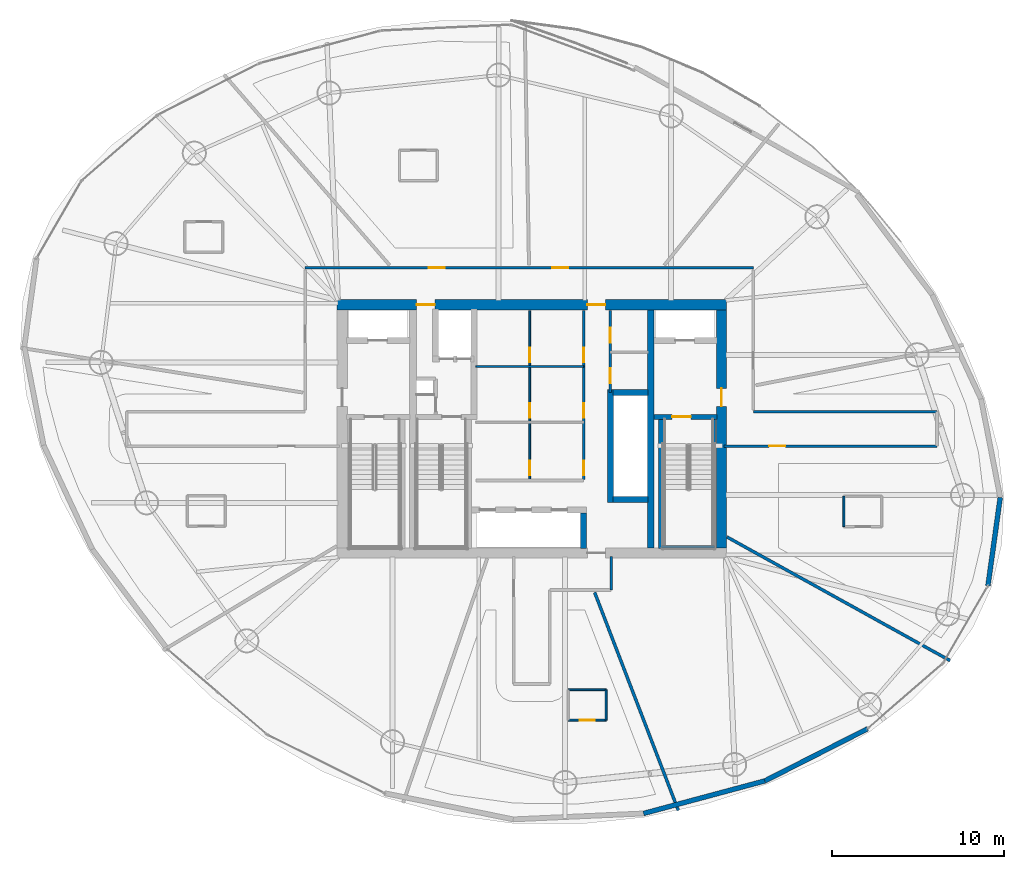
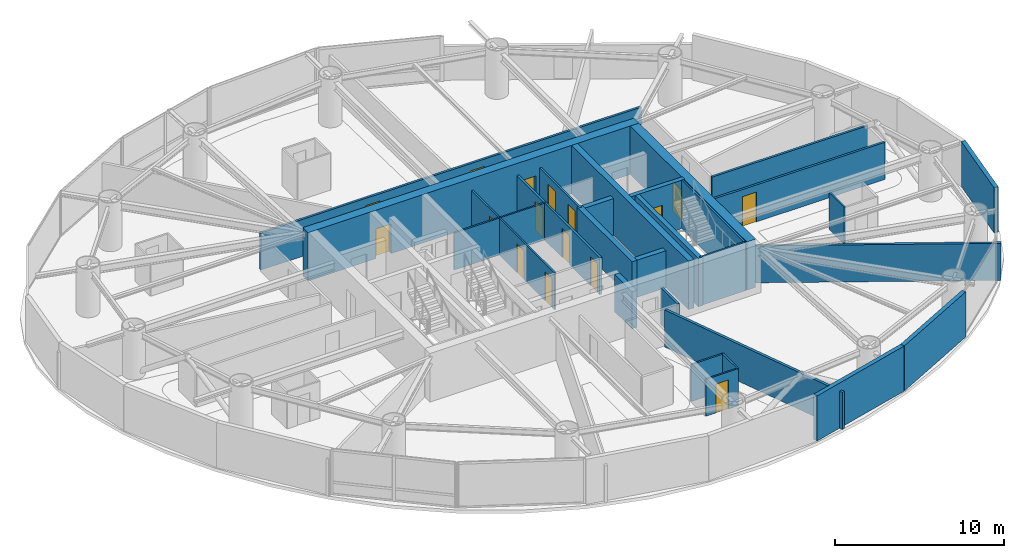
# One storey, part 15 of 19: 28 walls, 16 doors, 16 openings.
"""IFC4 building model written with IfcOpenShell, lengths in metres."""

from ifc_helpers import new_model, si_unit, direction, frame, frame_2d, origin, place, context, subcontext, project, spatial, rectangle, extrude, material, layer, layer_set, type_object, element, fill, save


model = new_model("IFC4")

# Units and contexts
model_context = context("Model", 3, precision=1e-05, world=origin(), true_north=direction((0.0, 1.0)))
body_context = subcontext(model_context, "Body", "Model", "MODEL_VIEW")
ifc_project = project(units=[si_unit("LENGTHUNIT", "METRE"), si_unit("AREAUNIT", "SQUARE_METRE"), si_unit("VOLUMEUNIT", "CUBIC_METRE"), si_unit("PLANEANGLEUNIT", "RADIAN"), si_unit("MASSUNIT", "GRAM", prefix="KILO")], contexts=[model_context])

# Site, building, storey
site_placement = place(None, origin())
site = spatial("IfcSite", under=ifc_project, at=site_placement, CompositionType="ELEMENT")
building_placement = place(site_placement, origin())
building = spatial("IfcBuilding", under=site, at=building_placement, Name="Bramvorn Convention Spire", CompositionType="ELEMENT")
storey_placement = place(building_placement, frame((0.0, 0.0, 109.800048828125)))
storey = spatial("IfcBuildingStorey", under=building, at=storey_placement, Name="L26", CompositionType="ELEMENT", Elevation=109.800048828125)

# Wall, openings, doors
ifc_material_1 = material(Name="Concrete C60/70", Category="concrete")
ifc_layer_1 = layer(ifc_material_1, 0.60009765625)
ifc_layer_set_1 = layer_set([ifc_layer_1], Name="Concrete C60/70 - WL-CORE-600")
wall_type_1 = type_object("IfcWallType", Name="WL-CORE-600", PredefinedType="SHEAR", material=ifc_layer_set_1)
wall_1_placement = place(storey_placement, frame((26.699951171875, 33.199951171875, 0.0), z_axis=(0.0, 0.0, 1.0), x_axis=(1.0, 0.0, 0.0)))
wall_1 = element("IfcWall", 1, at=wall_1_placement, inside=storey, type_object=wall_type_1, Name="L26 North RC core shear wall", PredefinedType="SHEAR", context=body_context, shape_type="SweptSolid", body=[
    extrude(rectangle(XDim=22.60009765625, YDim=0.60009765625, at=frame_2d((11.300048828125, 0.0))), origin(), (0.0, 0.0, 1.0), 3.5),
])
opening_1_placement = place(wall_1_placement, frame((4.6201171875, 0.0, 0.0)))
opening_1 = element("IfcOpeningElement", 2, at=opening_1_placement, cuts=wall_1, Name="Opening DL-105", PredefinedType="OPENING", context=body_context, shape_type="SweptSolid", body=[
    extrude(rectangle(XDim=1.050048828125, YDim=2.14990234375, at=frame_2d((0.52490234375, 1.074951171875))), frame((0.0, 0.31005859375, 0.0), z_axis=(0.0, -1.0, 0.0), x_axis=(1.0, 0.0, 0.0)), (0.0, 0.0, 1.0), 0.6201171875),
])
opening_2_placement = place(wall_1_placement, frame((14.52001953125, 0.0, 0.0)))
opening_2 = element("IfcOpeningElement", 3, at=opening_2_placement, cuts=wall_1, Name="Opening DL-105", PredefinedType="OPENING", context=body_context, shape_type="SweptSolid", body=[
    extrude(rectangle(XDim=1.050048828125, YDim=2.14990234375, at=frame_2d((0.52490234375, 1.074951171875))), frame((0.0, 0.31005859375, 0.0), z_axis=(0.0, -1.0, 0.0), x_axis=(1.0, 0.0, 0.0)), (0.0, 0.0, 1.0), 0.6201171875),
])
ifc_material_2 = material(Name="Smoke-Sealed Fire Lobby Timber-Core Door", Category="wood")
door_type_1 = type_object("IfcDoorType", Name="DR-LOBBY-1050", OperationType="NOTDEFINED", PredefinedType="DOOR", material=ifc_material_2)
door_1_placement = place(opening_1_placement, origin())
door_1 = element("IfcDoor", 4, at=door_1_placement, inside=storey, type_object=door_type_1, Name="L26 Service & Stair ST3 Lobby north corridor door", OperationType="SINGLE_SWING_LEFT", OverallHeight=2.14990234375, OverallWidth=1.050048828125, PredefinedType="DOOR", context=body_context, shape_type="SweptSolid", body=[
    extrude(rectangle(XDim=1.050048828125, YDim=2.14990234375, at=frame_2d((0.52490234375, 1.074951171875))), frame((0.0, 0.02490234375, 0.0), z_axis=(0.0, -1.0, 0.0), x_axis=(1.0, 0.0, 0.0)), (0.0, 0.0, 1.0), 0.050048828125),
])
fill(opening_1, door_1)
door_2_placement = place(opening_2_placement, origin())
door_2 = element("IfcDoor", 5, at=door_2_placement, inside=storey, type_object=door_type_1, Name="L26 North Lift Lobby fire door", OperationType="SINGLE_SWING_LEFT", OverallHeight=2.14990234375, OverallWidth=1.050048828125, PredefinedType="DOOR", context=body_context, shape_type="SweptSolid", body=[
    extrude(rectangle(XDim=1.050048828125, YDim=2.14990234375, at=frame_2d((0.52490234375, 1.074951171875))), frame((0.0, 0.02490234375, 0.0), z_axis=(0.0, -1.0, 0.0), x_axis=(1.0, 0.0, 0.0)), (0.0, 0.0, 1.0), 0.050048828125),
])
fill(opening_2, door_2)

# Wall, opening, door
wall_2_placement = place(storey_placement, frame((49.0, 19.10009765625, 0.0), z_axis=(0.0, 0.0, 1.0), x_axis=(0.0, 1.0, 0.0)))
wall_2 = element("IfcWall", 6, at=wall_2_placement, inside=storey, type_object=wall_type_1, Name="L26 East RC core shear wall", PredefinedType="SHEAR", context=body_context, shape_type="SweptSolid", body=[
    extrude(rectangle(XDim=13.7998046875, YDim=0.60009765625, at=frame_2d((6.89990234375, 0.0))), origin(), (0.0, 0.0, 1.0), 3.5),
])
opening_3_placement = place(wall_2_placement, frame((8.199951171875, 0.0, 0.0)))
opening_3 = element("IfcOpeningElement", 7, at=opening_3_placement, cuts=wall_2, Name="Opening DL-105", PredefinedType="OPENING", context=body_context, shape_type="SweptSolid", body=[
    extrude(rectangle(XDim=1.050048828125, YDim=2.14990234375, at=frame_2d((0.52490234375, 1.074951171875))), frame((0.0, 0.31005859375, 0.0), z_axis=(0.0, -1.0, 0.0), x_axis=(1.0, 0.0, 0.0)), (0.0, 0.0, 1.0), 0.6201171875),
])
door_3_placement = place(opening_3_placement, origin())
door_3 = element("IfcDoor", 8, at=door_3_placement, inside=storey, type_object=door_type_1, Name="L26 East Firefighting Lobby corridor door", OperationType="SINGLE_SWING_LEFT", OverallHeight=2.14990234375, OverallWidth=1.050048828125, PredefinedType="DOOR", context=body_context, shape_type="SweptSolid", body=[
    extrude(rectangle(XDim=1.050048828125, YDim=2.14990234375, at=frame_2d((0.52490234375, 1.074951171875))), frame((0.0, 0.02490234375, 0.0), z_axis=(0.0, -1.0, 0.0), x_axis=(1.0, 0.0, 0.0)), (0.0, 0.0, 1.0), 0.050048828125),
])
fill(opening_3, door_3)

# Walls
ifc_material_3 = material(Name="Concrete C50/60", Category="concrete")
ifc_layer_2 = layer(ifc_material_3, 0.35009765625)
ifc_layer_set_2 = layer_set([ifc_layer_2], Name="Concrete C50/60 - WL-CORE-INT-350")
wall_type_2 = type_object("IfcWallType", Name="WL-CORE-INT-350", PredefinedType="SHEAR", material=ifc_layer_set_2)
wall_3_placement = place(storey_placement, frame((42.550048828125, 21.72998046875, 0.0), z_axis=(0.0, 0.0, 1.0), x_axis=(0.0, 1.0, 0.0)))
element("IfcWall", 9, at=wall_3_placement, inside=storey, type_object=wall_type_2, Name="L26 High-rise lift bank west wall", PredefinedType="SHEAR", context=body_context, shape_type="SweptSolid", body=[
    extrude(rectangle(XDim=6.5400390625, YDim=0.35009765625, at=frame_2d((3.27001953125, 0.0))), origin(), (0.0, 0.0, 1.0), 2.675048828125),
])
for number, where, z_axis, x_axis, name in (
    (10, (42.719970703125, 21.89990234375, 0.0), (0.0, 0.0, 1.0), (1.0, 0.0, 0.0), "L26 High-rise lift bank south wall"),
    (11, (42.719970703125, 28.10009765625, 0.0), (0.0, 0.0, 1.0), (1.0, 0.0, 0.0), "L26 High-rise lift bank north wall"),
):
    element("IfcWall", number, at=place(storey_placement, frame(where, z_axis=z_axis, x_axis=x_axis)), inside=storey, type_object=wall_type_2, Name=name, PredefinedType="SHEAR", context=body_context, shape_type="SweptSolid", body=[
        extrude(rectangle(XDim=2.030029296875, YDim=0.35009765625, at=frame_2d((1.01513671875, 0.0))), origin(), (0.0, 0.0, 1.0), 2.675048828125),
    ])
wall_4_placement = place(storey_placement, frame((41.0, 19.050048828125, 0.0), z_axis=(0.0, 0.0, 1.0), x_axis=(0.0, 1.0, 0.0)))
element("IfcWall", 12, at=wall_4_placement, inside=storey, type_object=wall_type_2, Name="L26 Mid-rise bank east cheek wall", PredefinedType="SHEAR", context=body_context, shape_type="SweptSolid", body=[
    extrude(rectangle(XDim=2.079833984375, YDim=0.35009765625, at=frame_2d((1.0400390625, 0.0))), origin(), (0.0, 0.0, 1.0), 2.675048828125),
])
ifc_layer_3 = layer(ifc_material_1, 0.39990234375)
ifc_layer_set_3 = layer_set([ifc_layer_3], Name="Concrete C60/70 - WL-CORE-INT-400")
wall_type_3 = type_object("IfcWallType", Name="WL-CORE-INT-400", PredefinedType="SHEAR", material=ifc_layer_set_3)
wall_5_placement = place(storey_placement, frame((44.89990234375, 19.10009765625, 0.0), z_axis=(0.0, 0.0, 1.0), x_axis=(0.0, 1.0, 0.0)))
element("IfcWall", 13, at=wall_5_placement, inside=storey, type_object=wall_type_3, Name="L26 East internal core shear web", PredefinedType="SHEAR", context=body_context, shape_type="SweptSolid", body=[
    extrude(rectangle(XDim=13.7998046875, YDim=0.39990234375, at=frame_2d((6.89990234375, 0.0))), origin(), (0.0, 0.0, 1.0), 3.5),
])
ifc_material_4 = material(Name="Precast Concrete C40/50 with Bronze Terracotta Rainscreen", Category="masonry")
ifc_layer_4 = layer(ifc_material_4, 0.300048828125)
ifc_layer_set_4 = layer_set([ifc_layer_4], Name="Precast Concrete C40/50 with Bronze Terracotta Rainscreen - WL-EXT-BRONZE-300")
wall_type_4 = type_object("IfcWallType", Name="WL-EXT-BRONZE-300", PredefinedType="SOLIDWALL", material=ifc_layer_set_4)
wall_6_placement = place(storey_placement, frame((65.168701171875, 22.015625, 0.0), z_axis=(0.0, 0.0, 1.0), x_axis=(-0.137820388365, -0.990457238123, 0.0)))
element("IfcWall", 14, at=wall_6_placement, inside=storey, type_object=wall_type_4, Name="L26 expressed bronze Gothic lancet pier wall 01", PredefinedType="SOLIDWALL", context=body_context, shape_type="SweptSolid", body=[
    extrude(rectangle(XDim=5.17431640625, YDim=0.280029296875, at=frame_2d((2.587158203125, 0.0))), origin(), (0.0, 0.0, 1.0), 3.260009765625),
])
wall_7_placement = place(storey_placement, frame((51.521728515625, 5.579345703125, 0.0), z_axis=(0.0, 0.0, 1.0), x_axis=(-0.965810741731, -0.259248165195, 0.0)))
element("IfcWall", 15, at=wall_7_placement, inside=storey, type_object=wall_type_4, Name="L26 expressed bronze Gothic lancet pier wall 21", PredefinedType="SOLIDWALL", context=body_context, shape_type="SweptSolid", body=[
    extrude(rectangle(XDim=7.291748046875, YDim=0.280029296875, at=frame_2d((3.64599609375, 0.0))), origin(), (0.0, 0.0, 1.0), 3.260009765625),
])
wall_8_placement = place(storey_placement, frame((57.465087890625, 8.59619140625, 0.0), z_axis=(0.0, 0.0, 1.0), x_axis=(-0.891700204545, -0.452626496367, 0.0)))
element("IfcWall", 16, at=wall_8_placement, inside=storey, type_object=wall_type_4, Name="L26 expressed bronze Gothic lancet pier wall 22", PredefinedType="SOLIDWALL", context=body_context, shape_type="SweptSolid", body=[
    extrude(rectangle(XDim=6.665283203125, YDim=0.280029296875, at=frame_2d((3.33251953125, 0.0))), origin(), (0.0, 0.0, 1.0), 3.260009765625),
])

# Wall, openings, doors
ifc_material_5 = material(Name="Lightweight En-Suite & Wet-Wall Partition", Category="gypsum")
ifc_layer_5 = layer(ifc_material_5, 0.110107421875)
ifc_layer_set_5 = layer_set([ifc_layer_5], Name="Lightweight En-Suite & Wet-Wall Partition - WL-PART-110")
wall_type_5 = type_object("IfcWallType", Name="WL-PART-110", PredefinedType="PARTITIONING", material=ifc_layer_set_5)
wall_9_placement = place(storey_placement, frame((37.8798828125, 23.050048828125, 0.0), z_axis=(0.0, 0.0, 1.0), x_axis=(0.0, 1.0, 0.0)))
wall_9 = element("IfcWall", 17, at=wall_9_placement, inside=storey, type_object=wall_type_5, Name="L26 KB center wall", PredefinedType="PARTITIONING", context=body_context, shape_type="SweptSolid", body=[
    extrude(rectangle(XDim=9.800048828125, YDim=0.110107421875, at=frame_2d((4.89990234375, 0.0))), origin(), (0.0, 0.0, 1.0), 2.675048828125),
])
opening_4_placement = place(wall_9_placement, frame((0.25, 0.0, 0.0)))
opening_4 = element("IfcOpeningElement", 18, at=opening_4_placement, cuts=wall_9, Name="Opening DC-085", PredefinedType="OPENING", context=body_context, shape_type="SweptSolid", body=[
    extrude(rectangle(XDim=0.85009765625, YDim=2.10009765625, at=frame_2d((0.425048828125, 1.050048828125))), frame((0.0, 0.06494140625, 0.0), z_axis=(0.0, -1.0, 0.0), x_axis=(1.0, 0.0, 0.0)), (0.0, 0.0, 1.0), 0.130126953125),
])
opening_5_placement = place(wall_9_placement, frame((3.58203125, 0.0, 0.0)))
opening_5 = element("IfcOpeningElement", 19, at=opening_5_placement, cuts=wall_9, Name="Opening DC-085", PredefinedType="OPENING", context=body_context, shape_type="SweptSolid", body=[
    extrude(rectangle(XDim=0.85009765625, YDim=2.10009765625, at=frame_2d((0.425048828125, 1.050048828125))), frame((0.0, 0.06494140625, 0.0), z_axis=(0.0, -1.0, 0.0), x_axis=(1.0, 0.0, 0.0)), (0.0, 0.0, 1.0), 0.130126953125),
])
opening_6_placement = place(wall_9_placement, frame((6.81591796875, 0.0, 0.0)))
opening_6 = element("IfcOpeningElement", 20, at=opening_6_placement, cuts=wall_9, Name="Opening DC-085", PredefinedType="OPENING", context=body_context, shape_type="SweptSolid", body=[
    extrude(rectangle(XDim=0.85009765625, YDim=2.10009765625, at=frame_2d((0.425048828125, 1.050048828125))), frame((0.0, 0.06494140625, 0.0), z_axis=(0.0, -1.0, 0.0), x_axis=(1.0, 0.0, 0.0)), (0.0, 0.0, 1.0), 0.130126953125),
])
ifc_material_6 = material(Name="Fire-Rated Core Washroom & IDF Door", Category="wood")
door_type_2 = type_object("IfcDoorType", Name="DR-CORE-850", OperationType="NOTDEFINED", PredefinedType="DOOR", material=ifc_material_6)
door_4_placement = place(opening_4_placement, origin())
door_4 = element("IfcDoor", 21, at=door_4_placement, inside=storey, type_object=door_type_2, Name="L26 Core Linen Store door", OperationType="SINGLE_SWING_LEFT", OverallHeight=2.10009765625, OverallWidth=0.85009765625, PredefinedType="DOOR", context=body_context, shape_type="SweptSolid", body=[
    extrude(rectangle(XDim=0.85009765625, YDim=2.10009765625, at=frame_2d((0.425048828125, 1.050048828125))), frame((0.0, 0.02490234375, 0.0), z_axis=(0.0, -1.0, 0.0), x_axis=(1.0, 0.0, 0.0)), (0.0, 0.0, 1.0), 0.050048828125),
])
fill(opening_4, door_4)
door_5_placement = place(opening_5_placement, origin())
door_5 = element("IfcDoor", 22, at=door_5_placement, inside=storey, type_object=door_type_2, Name="L26 Core Metering Closet door", OperationType="SINGLE_SWING_LEFT", OverallHeight=2.10009765625, OverallWidth=0.85009765625, PredefinedType="DOOR", context=body_context, shape_type="SweptSolid", body=[
    extrude(rectangle(XDim=0.85009765625, YDim=2.10009765625, at=frame_2d((0.425048828125, 1.050048828125))), frame((0.0, 0.02490234375, 0.0), z_axis=(0.0, -1.0, 0.0), x_axis=(1.0, 0.0, 0.0)), (0.0, 0.0, 1.0), 0.050048828125),
])
fill(opening_5, door_5)
door_6_placement = place(opening_6_placement, origin())
door_6 = element("IfcDoor", 23, at=door_6_placement, inside=storey, type_object=door_type_2, Name="L26 Core Janitor Supply door", OperationType="SINGLE_SWING_LEFT", OverallHeight=2.10009765625, OverallWidth=0.85009765625, PredefinedType="DOOR", context=body_context, shape_type="SweptSolid", body=[
    extrude(rectangle(XDim=0.85009765625, YDim=2.10009765625, at=frame_2d((0.425048828125, 1.050048828125))), frame((0.0, 0.02490234375, 0.0), z_axis=(0.0, -1.0, 0.0), x_axis=(1.0, 0.0, 0.0)), (0.0, 0.0, 1.0), 0.050048828125),
])
fill(opening_6, door_6)

# Wall
wall_10_placement = place(storey_placement, frame((34.75, 29.615966796875, 0.0), z_axis=(0.0, 0.0, 1.0), x_axis=(1.0, 0.0, 0.0)))
element("IfcWall", 24, at=wall_10_placement, inside=storey, type_object=wall_type_5, Name="L26 KB divider 2", PredefinedType="PARTITIONING", context=body_context, shape_type="SweptSolid", body=[
    extrude(rectangle(XDim=6.25, YDim=0.110107421875, at=frame_2d((3.125, 0.0))), origin(), (0.0, 0.0, 1.0), 2.675048828125),
])

# Wall, opening, door
wall_11_placement = place(storey_placement, frame((40.10888671875, 9.101806640625, 0.0), z_axis=(0.0, 0.0, 1.0), x_axis=(1.0, 0.0, 0.0)))
wall_11 = element("IfcWall", 25, at=wall_11_placement, inside=storey, type_object=wall_type_5, Name="Hotel Suite 2607 en-suite south wall", PredefinedType="PARTITIONING", context=body_context, shape_type="SweptSolid", body=[
    extrude(rectangle(XDim=2.2001953125, YDim=0.110107421875, at=frame_2d((1.10009765625, 0.0))), origin(), (0.0, 0.0, 1.0), 2.675048828125),
])
opening_7_placement = place(wall_11_placement, frame((0.679931640625, 0.0, 0.0)))
opening_7 = element("IfcOpeningElement", 26, at=opening_7_placement, cuts=wall_11, Name="Opening DI-085", PredefinedType="OPENING", context=body_context, shape_type="SweptSolid", body=[
    extrude(rectangle(XDim=0.85009765625, YDim=2.10009765625, at=frame_2d((0.425048828125, 1.050048828125))), frame((0.0, 0.06494140625, 0.0), z_axis=(0.0, -1.0, 0.0), x_axis=(1.0, 0.0, 0.0)), (0.0, 0.0, 1.0), 0.130126953125),
])
ifc_material_7 = material(Name="En-Suite & Restroom Privacy Door", Category="wood")
door_type_3 = type_object("IfcDoorType", Name="DR-INT-850", OperationType="NOTDEFINED", PredefinedType="DOOR", material=ifc_material_7)
door_7_placement = place(opening_7_placement, origin())
door_7 = element("IfcDoor", 27, at=door_7_placement, inside=storey, type_object=door_type_3, Name="Hotel Suite 2607 En-Suite Bathroom door", OperationType="SINGLE_SWING_LEFT", OverallHeight=2.10009765625, OverallWidth=0.85009765625, PredefinedType="DOOR", context=body_context, shape_type="SweptSolid", body=[
    extrude(rectangle(XDim=0.85009765625, YDim=2.10009765625, at=frame_2d((0.425048828125, 1.050048828125))), frame((0.0, 0.02490234375, 0.0), z_axis=(0.0, -1.0, 0.0), x_axis=(1.0, 0.0, 0.0)), (0.0, 0.0, 1.0), 0.050048828125),
])
fill(opening_7, door_7)

# Walls
wall_12_placement = place(storey_placement, frame((40.10888671875, 10.86181640625, 0.0), z_axis=(0.0, 0.0, 1.0), x_axis=(1.0, 0.0, 0.0)))
element("IfcWall", 28, at=wall_12_placement, inside=storey, type_object=wall_type_5, Name="Hotel Suite 2607 en-suite north wall", PredefinedType="PARTITIONING", context=body_context, shape_type="SweptSolid", body=[
    extrude(rectangle(XDim=2.2001953125, YDim=0.110107421875, at=frame_2d((1.10009765625, 0.0))), origin(), (0.0, 0.0, 1.0), 2.675048828125),
])
for number, where, z_axis, x_axis, name in (
    (29, (42.30908203125, 9.101806640625, 0.0), (0.0, 0.0, 1.0), (0.0, 1.0, 0.0), "Hotel Suite 2607 en-suite east wall"),
    (30, (56.09521484375, 20.3291015625, 0.0), (0.0, 0.0, 1.0), (0.0, 1.0, 0.0), "Hotel Suite 2609 en-suite west wall"),
):
    element("IfcWall", number, at=place(storey_placement, frame(where, z_axis=z_axis, x_axis=x_axis)), inside=storey, type_object=wall_type_5, Name=name, PredefinedType="PARTITIONING", context=body_context, shape_type="SweptSolid", body=[
        extrude(rectangle(XDim=1.760009765625, YDim=0.110107421875, at=frame_2d((0.8798828125, 0.0))), origin(), (0.0, 0.0, 1.0), 2.675048828125),
    ])

# Wall, openings, doors
ifc_material_8 = material(Name="Metal-Stud Demountable Office Partition", Category="gypsum")
ifc_layer_6 = layer(ifc_material_8, 0.1298828125)
ifc_layer_set_6 = layer_set([ifc_layer_6], Name="Metal-Stud Demountable Office Partition - WL-PART-130")
wall_type_6 = type_object("IfcWallType", Name="WL-PART-130", PredefinedType="PARTITIONING", material=ifc_layer_set_6)
wall_13_placement = place(storey_placement, frame((42.550048828125, 28.10009765625, 0.0), z_axis=(0.0, 0.0, 1.0), x_axis=(0.0, 1.0, 0.0)))
wall_13 = element("IfcWall", 31, at=wall_13_placement, inside=storey, type_object=wall_type_6, Name="L26 KB NE split wall", PredefinedType="PARTITIONING", context=body_context, shape_type="SweptSolid", body=[
    extrude(rectangle(XDim=4.75, YDim=0.1298828125, at=frame_2d((2.375, 0.0))), origin(), (0.0, 0.0, 1.0), 2.675048828125),
])
opening_8_placement = place(wall_13_placement, frame((0.550048828125, 0.0, 0.0)))
opening_8 = element("IfcOpeningElement", 32, at=opening_8_placement, cuts=wall_13, Name="Opening DC-085", PredefinedType="OPENING", context=body_context, shape_type="SweptSolid", body=[
    extrude(rectangle(XDim=0.85009765625, YDim=2.10009765625, at=frame_2d((0.425048828125, 1.050048828125))), frame((0.0, 0.074951171875, 0.0), z_axis=(0.0, -1.0, 0.0), x_axis=(1.0, 0.0, 0.0)), (0.0, 0.0, 1.0), 0.14990234375),
])
opening_9_placement = place(wall_13_placement, frame((2.89990234375, 0.0, 0.0)))
opening_9 = element("IfcOpeningElement", 33, at=opening_9_placement, cuts=wall_13, Name="Opening DC-085", PredefinedType="OPENING", context=body_context, shape_type="SweptSolid", body=[
    extrude(rectangle(XDim=0.85009765625, YDim=2.10009765625, at=frame_2d((0.425048828125, 1.050048828125))), frame((0.0, 0.074951171875, 0.0), z_axis=(0.0, -1.0, 0.0), x_axis=(1.0, 0.0, 0.0)), (0.0, 0.0, 1.0), 0.14990234375),
])
door_8_placement = place(opening_8_placement, origin())
door_8 = element("IfcDoor", 34, at=door_8_placement, inside=storey, type_object=door_type_2, Name="L26 Core Staff WC door", OperationType="SINGLE_SWING_LEFT", OverallHeight=2.10009765625, OverallWidth=0.85009765625, PredefinedType="DOOR", context=body_context, shape_type="SweptSolid", body=[
    extrude(rectangle(XDim=0.85009765625, YDim=2.10009765625, at=frame_2d((0.425048828125, 1.050048828125))), frame((0.0, 0.02490234375, 0.0), z_axis=(0.0, -1.0, 0.0), x_axis=(1.0, 0.0, 0.0)), (0.0, 0.0, 1.0), 0.050048828125),
])
fill(opening_8, door_8)
door_9_placement = place(opening_9_placement, origin())
door_9 = element("IfcDoor", 35, at=door_9_placement, inside=storey, type_object=door_type_2, Name="L26 Core Data Closet door", OperationType="SINGLE_SWING_LEFT", OverallHeight=2.10009765625, OverallWidth=0.85009765625, PredefinedType="DOOR", context=body_context, shape_type="SweptSolid", body=[
    extrude(rectangle(XDim=0.85009765625, YDim=2.10009765625, at=frame_2d((0.425048828125, 1.050048828125))), frame((0.0, 0.02490234375, 0.0), z_axis=(0.0, -1.0, 0.0), x_axis=(1.0, 0.0, 0.0)), (0.0, 0.0, 1.0), 0.050048828125),
])
fill(opening_9, door_9)

ifc_material_9 = material(Name="Acoustic Metal-Stud Tenant/Corridor Partition", Category="gypsum")
ifc_layer_7 = layer(ifc_material_9, 0.14990234375)
ifc_layer_set_7 = layer_set([ifc_layer_7], Name="Acoustic Metal-Stud Tenant/Corridor Partition - WL-PART-150")
wall_type_7 = type_object("IfcWallType", Name="WL-PART-150", PredefinedType="PARTITIONING", material=ifc_layer_set_7)
wall_14_placement = place(storey_placement, frame((41.0, 23.050048828125, 0.0), z_axis=(0.0, 0.0, 1.0), x_axis=(0.0, 1.0, 0.0)))
wall_14 = element("IfcWall", 36, at=wall_14_placement, inside=storey, type_object=wall_type_7, Name="L26 KB east core wall", PredefinedType="PARTITIONING", context=body_context, shape_type="SweptSolid", body=[
    extrude(rectangle(XDim=9.800048828125, YDim=0.14990234375, at=frame_2d((4.89990234375, 0.0))), origin(), (0.0, 0.0, 1.0), 2.675048828125),
])
opening_10_placement = place(wall_14_placement, frame((0.25, 0.0, 0.0)))
opening_10 = element("IfcOpeningElement", 37, at=opening_10_placement, cuts=wall_14, Name="Opening DC-085", PredefinedType="OPENING", context=body_context, shape_type="SweptSolid", body=[
    extrude(rectangle(XDim=0.85009765625, YDim=2.10009765625, at=frame_2d((0.425048828125, 1.050048828125))), frame((0.0, 0.0849609375, 0.0), z_axis=(0.0, -1.0, 0.0), x_axis=(1.0, 0.0, 0.0)), (0.0, 0.0, 1.0), 0.169921875),
])
opening_11_placement = place(wall_14_placement, frame((3.58203125, 0.0, 0.0)))
opening_11 = element("IfcOpeningElement", 38, at=opening_11_placement, cuts=wall_14, Name="Opening DC-085", PredefinedType="OPENING", context=body_context, shape_type="SweptSolid", body=[
    extrude(rectangle(XDim=0.85009765625, YDim=2.10009765625, at=frame_2d((0.425048828125, 1.050048828125))), frame((0.0, 0.0849609375, 0.0), z_axis=(0.0, -1.0, 0.0), x_axis=(1.0, 0.0, 0.0)), (0.0, 0.0, 1.0), 0.169921875),
])
opening_12_placement = place(wall_14_placement, frame((6.81591796875, 0.0, 0.0)))
opening_12 = element("IfcOpeningElement", 39, at=opening_12_placement, cuts=wall_14, Name="Opening DC-085", PredefinedType="OPENING", context=body_context, shape_type="SweptSolid", body=[
    extrude(rectangle(XDim=0.85009765625, YDim=2.10009765625, at=frame_2d((0.425048828125, 1.050048828125))), frame((0.0, 0.0849609375, 0.0), z_axis=(0.0, -1.0, 0.0), x_axis=(1.0, 0.0, 0.0)), (0.0, 0.0, 1.0), 0.169921875),
])
door_10_placement = place(opening_10_placement, origin())
door_10 = element("IfcDoor", 40, at=door_10_placement, inside=storey, type_object=door_type_2, Name="L26 Accessible Core Restroom door", OperationType="SINGLE_SWING_LEFT", OverallHeight=2.10009765625, OverallWidth=0.85009765625, PredefinedType="DOOR", context=body_context, shape_type="SweptSolid", body=[
    extrude(rectangle(XDim=0.85009765625, YDim=2.10009765625, at=frame_2d((0.425048828125, 1.050048828125))), frame((0.0, 0.02490234375, 0.0), z_axis=(0.0, -1.0, 0.0), x_axis=(1.0, 0.0, 0.0)), (0.0, 0.0, 1.0), 0.050048828125),
])
fill(opening_10, door_10)
door_11_placement = place(opening_11_placement, origin())
door_11 = element("IfcDoor", 41, at=door_11_placement, inside=storey, type_object=door_type_2, Name="L26 Floor Housekeeping & Linen Store door", OperationType="SINGLE_SWING_LEFT", OverallHeight=2.10009765625, OverallWidth=0.85009765625, PredefinedType="DOOR", context=body_context, shape_type="SweptSolid", body=[
    extrude(rectangle(XDim=0.85009765625, YDim=2.10009765625, at=frame_2d((0.425048828125, 1.050048828125))), frame((0.0, 0.02490234375, 0.0), z_axis=(0.0, -1.0, 0.0), x_axis=(1.0, 0.0, 0.0)), (0.0, 0.0, 1.0), 0.050048828125),
])
fill(opening_11, door_11)
door_12_placement = place(opening_12_placement, origin())
door_12 = element("IfcDoor", 42, at=door_12_placement, inside=storey, type_object=door_type_2, Name="L26 Gender-Neutral Core WC door", OperationType="SINGLE_SWING_LEFT", OverallHeight=2.10009765625, OverallWidth=0.85009765625, PredefinedType="DOOR", context=body_context, shape_type="SweptSolid", body=[
    extrude(rectangle(XDim=0.85009765625, YDim=2.10009765625, at=frame_2d((0.425048828125, 1.050048828125))), frame((0.0, 0.02490234375, 0.0), z_axis=(0.0, -1.0, 0.0), x_axis=(1.0, 0.0, 0.0)), (0.0, 0.0, 1.0), 0.050048828125),
])
fill(opening_12, door_12)

wall_15_placement = place(storey_placement, frame((24.85009765625, 35.35009765625, 0.0), z_axis=(0.0, 0.0, 1.0), x_axis=(1.0, 0.0, 0.0)))
wall_15 = element("IfcWall", 43, at=wall_15_placement, inside=storey, type_object=wall_type_7, Name="L26 North gallery wall", PredefinedType="PARTITIONING", context=body_context, shape_type="SweptSolid", body=[
    extrude(rectangle(XDim=26.0, YDim=0.14990234375, at=frame_2d((13.0, 0.0))), origin(), (0.0, 0.0, 1.0), 2.675048828125),
])
opening_13_placement = place(wall_15_placement, frame((14.32470703125, 0.0, 0.0)))
opening_13 = element("IfcOpeningElement", 44, at=opening_13_placement, cuts=wall_15, Name="Opening DH-095", PredefinedType="OPENING", context=body_context, shape_type="SweptSolid", body=[
    extrude(rectangle(XDim=0.949951171875, YDim=2.14990234375, at=frame_2d((0.47509765625, 1.074951171875))), frame((0.0, 0.0849609375, 0.0), z_axis=(0.0, -1.0, 0.0), x_axis=(1.0, 0.0, 0.0)), (0.0, 0.0, 1.0), 0.169921875),
])
opening_14_placement = place(wall_15_placement, frame((7.162353515625, 0.0, 0.0)))
opening_14 = element("IfcOpeningElement", 45, at=opening_14_placement, cuts=wall_15, Name="Opening DH-095", PredefinedType="OPENING", context=body_context, shape_type="SweptSolid", body=[
    extrude(rectangle(XDim=0.949951171875, YDim=2.14990234375, at=frame_2d((0.47509765625, 1.074951171875))), frame((0.0, 0.0849609375, 0.0), z_axis=(0.0, -1.0, 0.0), x_axis=(1.0, 0.0, 0.0)), (0.0, 0.0, 1.0), 0.169921875),
])
ifc_material_10 = material(Name="Solid-Core Acoustic Guestroom Entry Door", Category="wood")
door_type_4 = type_object("IfcDoorType", Name="DR-HOTEL-950", OperationType="NOTDEFINED", PredefinedType="DOOR", material=ifc_material_10)
door_13_placement = place(opening_13_placement, origin())
door_13 = element("IfcDoor", 46, at=door_13_placement, inside=storey, type_object=door_type_4, Name="L26 Sky Garden Lounge corridor door", OperationType="SINGLE_SWING_RIGHT", OverallHeight=2.14990234375, OverallWidth=0.949951171875, PredefinedType="DOOR", context=body_context, shape_type="SweptSolid", body=[
    extrude(rectangle(XDim=0.949951171875, YDim=2.14990234375, at=frame_2d((0.47509765625, 1.074951171875))), frame((0.0, 0.02490234375, 0.0), z_axis=(0.0, -1.0, 0.0), x_axis=(1.0, 0.0, 0.0)), (0.0, 0.0, 1.0), 0.050048828125),
])
fill(opening_13, door_13)
door_14_placement = place(opening_14_placement, origin())
door_14 = element("IfcDoor", 47, at=door_14_placement, inside=storey, type_object=door_type_4, Name="Hotel Suite 2603 entry door", OperationType="SINGLE_SWING_LEFT", OverallHeight=2.14990234375, OverallWidth=0.949951171875, PredefinedType="DOOR", context=body_context, shape_type="SweptSolid", body=[
    extrude(rectangle(XDim=0.949951171875, YDim=2.14990234375, at=frame_2d((0.47509765625, 1.074951171875))), frame((0.0, 0.02490234375, 0.0), z_axis=(0.0, -1.0, 0.0), x_axis=(1.0, 0.0, 0.0)), (0.0, 0.0, 1.0), 0.050048828125),
])
fill(opening_14, door_14)

# Wall
wall_16_placement = place(storey_placement, frame((50.85009765625, 27.0, 0.0), z_axis=(0.0, 0.0, 1.0), x_axis=(1.0, 0.0, 0.0)))
element("IfcWall", 48, at=wall_16_placement, inside=storey, type_object=wall_type_7, Name="L26 East wing spine north wall", PredefinedType="PARTITIONING", context=body_context, shape_type="SweptSolid", body=[
    extrude(rectangle(XDim=10.64990234375, YDim=0.14990234375, at=frame_2d((5.324951171875, 0.0))), origin(), (0.0, 0.0, 1.0), 2.675048828125),
])

# Wall, opening, door
wall_17_placement = place(storey_placement, frame((49.14990234375, 25.0, 0.0), z_axis=(0.0, 0.0, 1.0), x_axis=(1.0, 0.0, 0.0)))
wall_17 = element("IfcWall", 49, at=wall_17_placement, inside=storey, type_object=wall_type_7, Name="L26 East wing spine south wall", PredefinedType="PARTITIONING", context=body_context, shape_type="SweptSolid", body=[
    extrude(rectangle(XDim=12.35009765625, YDim=0.14990234375, at=frame_2d((6.175048828125, 0.0))), origin(), (0.0, 0.0, 1.0), 2.675048828125),
])
opening_15_placement = place(wall_17_placement, frame((2.612548828125, 0.0, 0.0)))
opening_15 = element("IfcOpeningElement", 50, at=opening_15_placement, cuts=wall_17, Name="Opening DH-095", PredefinedType="OPENING", context=body_context, shape_type="SweptSolid", body=[
    extrude(rectangle(XDim=0.949951171875, YDim=2.14990234375, at=frame_2d((0.47509765625, 1.074951171875))), frame((0.0, 0.0849609375, 0.0), z_axis=(0.0, -1.0, 0.0), x_axis=(1.0, 0.0, 0.0)), (0.0, 0.0, 1.0), 0.169921875),
])
door_15_placement = place(opening_15_placement, origin())
door_15 = element("IfcDoor", 51, at=door_15_placement, inside=storey, type_object=door_type_4, Name="Hotel Suite 2609 entry door", OperationType="SINGLE_SWING_RIGHT", OverallHeight=2.14990234375, OverallWidth=0.949951171875, PredefinedType="DOOR", context=body_context, shape_type="SweptSolid", body=[
    extrude(rectangle(XDim=0.949951171875, YDim=2.14990234375, at=frame_2d((0.47509765625, 1.074951171875))), frame((0.0, 0.02490234375, 0.0), z_axis=(0.0, -1.0, 0.0), x_axis=(1.0, 0.0, 0.0)), (0.0, 0.0, 1.0), 0.050048828125),
])
fill(opening_15, door_15)

# Walls
wall_18_placement = place(storey_placement, frame((42.60009765625, 16.64990234375, 0.0), z_axis=(0.0, 0.0, 1.0), x_axis=(0.0, 1.0, 0.0)))
element("IfcWall", 52, at=wall_18_placement, inside=storey, type_object=wall_type_7, Name="L26 South lift lobby east cheek", PredefinedType="PARTITIONING", context=body_context, shape_type="SweptSolid", body=[
    extrude(rectangle(XDim=1.9501953125, YDim=0.14990234375, at=frame_2d((0.97509765625, 0.0))), origin(), (0.0, 0.0, 1.0), 2.675048828125),
])
ifc_material_11 = material(Name="Double-Stud Acoustic Hotel/Suite Partition", Category="gypsum")
ifc_layer_8 = layer(ifc_material_11, 0.175048828125)
ifc_layer_set_8 = layer_set([ifc_layer_8], Name="Double-Stud Acoustic Hotel/Suite Partition - WL-PART-175")
wall_type_8 = type_object("IfcWallType", Name="WL-PART-175", PredefinedType="PARTITIONING", material=ifc_layer_set_8)
wall_19_placement = place(storey_placement, frame((41.642822265625, 16.510009765625, 0.0), z_axis=(0.0, 0.0, 1.0), x_axis=(0.358366750577, -0.933580886737, 0.0)))
element("IfcWall", 53, at=wall_19_placement, inside=storey, type_object=wall_type_8, Name="L26 Guestroom demising wall 8", PredefinedType="PARTITIONING", context=body_context, shape_type="SweptSolid", body=[
    extrude(rectangle(XDim=13.547607421875, YDim=0.175048828125, at=frame_2d((6.77392578125, 0.0))), origin(), (0.0, 0.0, 1.0), 2.675048828125),
])
wall_20_placement = place(storey_placement, frame((49.320068359375, 19.72509765625, 0.0), z_axis=(0.0, 0.0, 1.0), x_axis=(0.874626083606, -0.484798116619, 0.0)))
element("IfcWall", 54, at=wall_20_placement, inside=storey, type_object=wall_type_8, Name="L26 Guestroom demising wall 9", PredefinedType="PARTITIONING", context=body_context, shape_type="SweptSolid", body=[
    extrude(rectangle(XDim=14.799560546875, YDim=0.175048828125, at=frame_2d((7.39990234375, 0.0))), origin(), (0.0, 0.0, 1.0), 2.675048828125),
])

# Wall, opening, door
ifc_layer_9 = layer(ifc_material_3, 0.300048828125)
ifc_layer_set_9 = layer_set([ifc_layer_9], Name="Concrete C50/60 - WL-POD-STAIR-300")
wall_type_9 = type_object("IfcWallType", Name="WL-POD-STAIR-300", PredefinedType="SHEAR", material=ifc_layer_set_9)
wall_21_placement = place(storey_placement, frame((45.080078125, 26.68994140625, 0.0), z_axis=(0.0, 0.0, 1.0), x_axis=(1.0, 0.0, 0.0)))
wall_21 = element("IfcWall", 55, at=wall_21_placement, inside=storey, type_object=wall_type_9, Name="L26 ST2 north fire wall", PredefinedType="SHEAR", context=body_context, shape_type="SweptSolid", body=[
    extrude(rectangle(XDim=3.669921875, YDim=0.300048828125, at=frame_2d((1.8349609375, 0.0))), origin(), (0.0, 0.0, 1.0), 3.5),
])
opening_16_placement = place(wall_21_placement, frame((1.050048828125, 0.0, 0.0)))
opening_16 = element("IfcOpeningElement", 56, at=opening_16_placement, cuts=wall_21, Name="Opening DS-110", PredefinedType="OPENING", context=body_context, shape_type="SweptSolid", body=[
    extrude(rectangle(XDim=1.10009765625, YDim=2.14990234375, at=frame_2d((0.550048828125, 1.074951171875))), frame((0.0, 0.159912109375, 0.0), z_axis=(0.0, -1.0, 0.0), x_axis=(1.0, 0.0, 0.0)), (0.0, 0.0, 1.0), 0.320068359375),
])
ifc_material_12 = material(Name="Fire-Rated Hollow Steel Stairwell Door", Category="steel")
door_type_5 = type_object("IfcDoorType", Name="DR-STAIR-1100", OperationType="NOTDEFINED", PredefinedType="DOOR", material=ifc_material_12)
door_16_placement = place(opening_16_placement, origin())
door_16 = element("IfcDoor", 57, at=door_16_placement, inside=storey, type_object=door_type_5, Name="L26 Stair ST2 fire door", OperationType="SINGLE_SWING_RIGHT", OverallHeight=2.14990234375, OverallWidth=1.10009765625, PredefinedType="DOOR", context=body_context, shape_type="SweptSolid", body=[
    extrude(rectangle(XDim=1.10009765625, YDim=2.14990234375, at=frame_2d((0.550048828125, 1.074951171875))), frame((0.0, 0.02490234375, 0.0), z_axis=(0.0, -1.0, 0.0), x_axis=(1.0, 0.0, 0.0)), (0.0, 0.0, 1.0), 0.050048828125),
])
fill(opening_16, door_16)

# Walls
wall_22_placement = place(storey_placement, frame((45.510009765625, 19.050048828125, 0.0), z_axis=(0.0, 0.0, 1.0), x_axis=(0.0, 1.0, 0.0)))
element("IfcWall", 58, at=wall_22_placement, inside=storey, type_object=wall_type_9, Name="L26 ST2 west bearing wall", PredefinedType="SHEAR", context=body_context, shape_type="SweptSolid", body=[
    extrude(rectangle(XDim=7.5, YDim=0.300048828125, at=frame_2d((3.75, 0.0))), origin(), (0.0, 0.0, 1.0), 3.5),
])
ifc_layer_10 = layer(ifc_material_3, 0.1201171875)
ifc_layer_set_10 = layer_set([ifc_layer_10], Name="Concrete C50/60 - WL-STAIR-RC-120")
wall_type_10 = type_object("IfcWallType", Name="WL-STAIR-RC-120", PredefinedType="SHEAR", material=ifc_layer_set_10)
wall_23_placement = place(storey_placement, frame((48.60498046875, 19.10009765625, 0.0), z_axis=(0.0, 0.0, 1.0), x_axis=(0.0, 1.0, 0.0)))
element("IfcWall", 59, at=wall_23_placement, inside=storey, type_object=wall_type_10, Name="L26 ST2 east bearing shear wall", PredefinedType="SHEAR", context=body_context, shape_type="SweptSolid", body=[
    extrude(rectangle(XDim=7.449951171875, YDim=0.1201171875, at=frame_2d((3.72509765625, 0.0))), origin(), (0.0, 0.0, 1.0), 3.5),
])
wall_24_placement = place(storey_placement, frame((45.510009765625, 19.159912109375, 0.0), z_axis=(0.0, 0.0, 1.0), x_axis=(1.0, 0.0, 0.0)))
element("IfcWall", 60, at=wall_24_placement, inside=storey, type_object=wall_type_10, Name="L26 ST2 south bearing shear wall", PredefinedType="SHEAR", context=body_context, shape_type="SweptSolid", body=[
    extrude(rectangle(XDim=3.094970703125, YDim=0.1201171875, at=frame_2d((1.54736328125, 0.0))), origin(), (0.0, 0.0, 1.0), 3.5),
])

save(model, "model.ifc")
